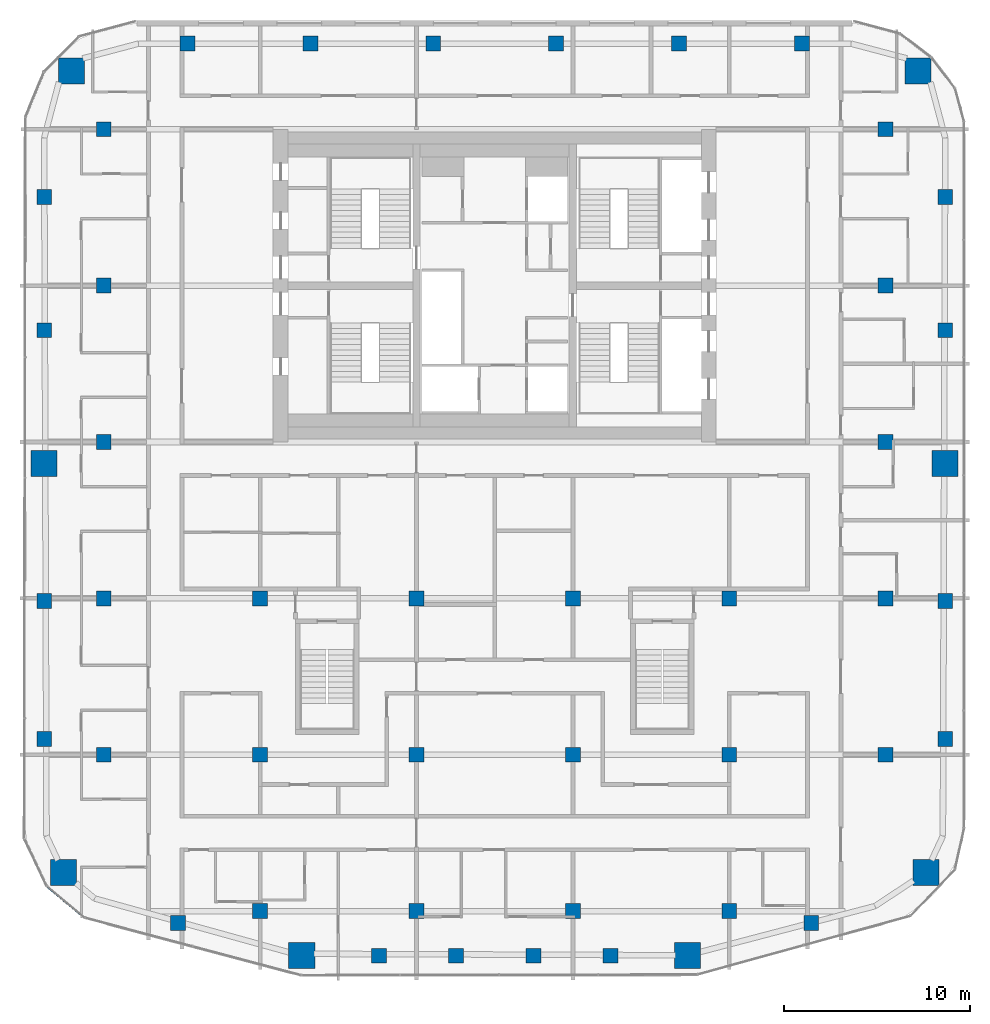
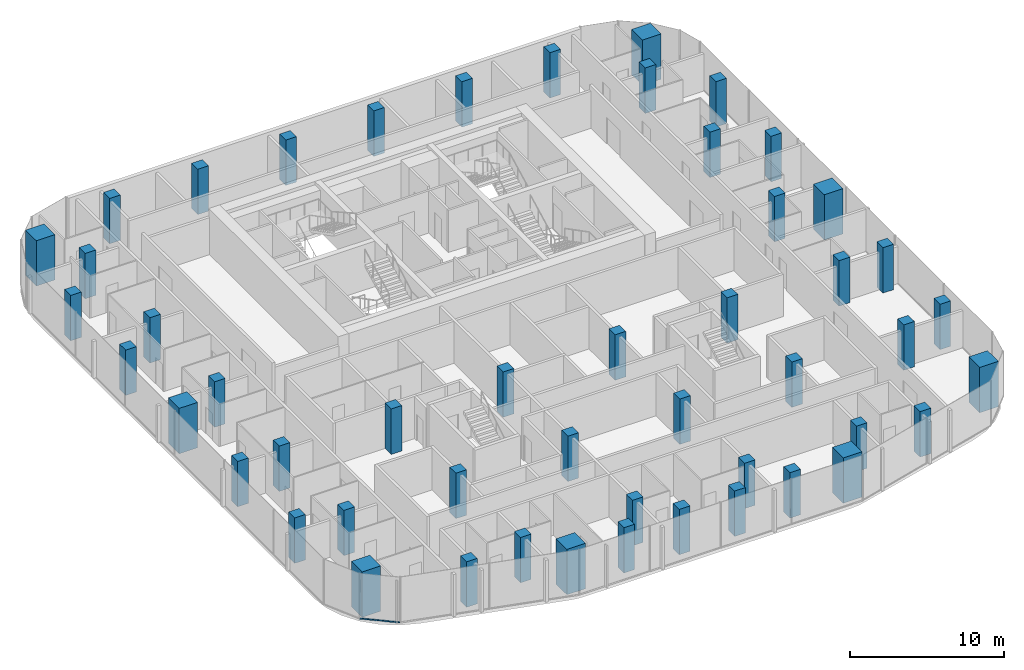
# One storey, part 1 of 21: 50 columns, 1 member, 1 element without a shape of its own.
"""IFC4 building model written with IfcOpenShell, lengths in metres."""

from ifc_helpers import new_model, si_unit, direction, frame, origin, origin_2d, place, context, subcontext, project, spatial, rectangle, extrude, material, layer, layer_set, material_profile, profile_set, type_object, element, aggregate, save


model = new_model("IFC4")

# Units and contexts
model_context = context("Model", 3, precision=1e-05, world=origin(), true_north=direction((0.0, 1.0)))
body_context = subcontext(model_context, "Body", "Model", "MODEL_VIEW")
ifc_project = project(units=[si_unit("LENGTHUNIT", "METRE"), si_unit("AREAUNIT", "SQUARE_METRE"), si_unit("VOLUMEUNIT", "CUBIC_METRE"), si_unit("PLANEANGLEUNIT", "RADIAN"), si_unit("MASSUNIT", "GRAM", prefix="KILO")], contexts=[model_context])

# Site, building, storey
site_placement = place(None, origin())
site = spatial("IfcSite", under=ifc_project, at=site_placement, CompositionType="ELEMENT")
building_placement = place(site_placement, origin())
building = spatial("IfcBuilding", under=site, at=building_placement, Name="Marenta Gate Hotel Tower", CompositionType="ELEMENT")
storey_placement = place(building_placement, frame((0.0, 0.0, 245.300048828125)))
storey = spatial("IfcBuildingStorey", under=building, at=storey_placement, Name="L58", CompositionType="ELEMENT", Elevation=245.300048828125)

# Columns
ifc_material_1 = material(Name="Concrete C60", Category="concrete")
ifc_material_profile_1 = material_profile(ifc_material_1, rectangle(XDim=0.800048828125, YDim=0.800048828125, at=origin_2d()), Name="800 x 800")
ifc_profile_set_1 = profile_set([ifc_material_profile_1], Name="Concrete C60")
column_type_1 = type_object("IfcColumnType", Name="Edge column 800 x 800 C60", PredefinedType="COLUMN", material=ifc_profile_set_1)
for number, where, z_axis, x_axis, name in (
    (1, (-24.199951171875, -15.951904296875, 0.0), (0.0, 0.0, 1.0), (1.0, 0.0, 0.0), "L58-EC-SW-W-1"),
    (2, (-24.199951171875, -8.55078125, 0.0), (0.0, 0.0, 1.0), (1.0, 0.0, 0.0), "L58-EC-SW-W-2"),
    (3, (-24.199951171875, 6.003173828125, 0.0), (0.0, 0.0, 1.0), (1.0, 0.0, 0.0), "L58-EC-W-NW-1"),
    (4, (-24.199951171875, 13.156494140625, 0.0), (0.0, 0.0, 1.0), (1.0, 0.0, 0.0), "L58-EC-W-NW-2"),
    (5, (-16.5068359375, 21.39990234375, 0.0), (0.0, 0.0, 1.0), (1.0, 0.0, 0.0), "L58-EC-NW-NE-1"),
    (6, (-9.904052734375, 21.39990234375, 0.0), (0.0, 0.0, 1.0), (1.0, 0.0, 0.0), "L58-EC-NW-NE-2"),
    (7, (-3.301513671875, 21.39990234375, 0.0), (0.0, 0.0, 1.0), (1.0, 0.0, 0.0), "L58-EC-NW-NE-3"),
    (8, (3.301513671875, 21.39990234375, 0.0), (0.0, 0.0, 1.0), (1.0, 0.0, 0.0), "L58-EC-NW-NE-4"),
    (9, (9.904052734375, 21.39990234375, 0.0), (0.0, 0.0, 1.0), (1.0, 0.0, 0.0), "L58-EC-NW-NE-5"),
    (10, (16.5068359375, 21.39990234375, 0.0), (0.0, 0.0, 1.0), (1.0, 0.0, 0.0), "L58-EC-NW-NE-6"),
    (11, (24.199951171875, 13.156494140625, 0.0), (0.0, 0.0, 1.0), (1.0, 0.0, 0.0), "L58-EC-NE-E-1"),
    (12, (24.199951171875, 6.003173828125, 0.0), (0.0, 0.0, 1.0), (1.0, 0.0, 0.0), "L58-EC-NE-E-2"),
    (13, (24.199951171875, -8.55078125, 0.0), (0.0, 0.0, 1.0), (1.0, 0.0, 0.0), "L58-EC-E-SE-1"),
    (14, (24.199951171875, -15.951904296875, 0.0), (0.0, 0.0, 1.0), (1.0, 0.0, 0.0), "L58-EC-E-SE-2"),
    (15, (17.0068359375, -25.839111328125, 0.0), (0.0, 0.0, 1.0), (1.0, 0.0, 0.0), "L58-EC-SE-SKE-1"),
    (16, (6.22021484375, -27.60009765625, 0.0), (0.0, 0.0, 1.0), (1.0, 0.0, 0.0), "L58-EC-SKE-SKW-1"),
    (17, (2.073486328125, -27.60009765625, 0.0), (0.0, 0.0, 1.0), (1.0, 0.0, 0.0), "L58-EC-SKE-SKW-2"),
    (18, (-2.073486328125, -27.60009765625, 0.0), (0.0, 0.0, 1.0), (1.0, 0.0, 0.0), "L58-EC-SKE-SKW-3"),
    (19, (-6.22021484375, -27.60009765625, 0.0), (0.0, 0.0, 1.0), (1.0, 0.0, 0.0), "L58-EC-SKE-SKW-4"),
    (20, (-17.0068359375, -25.839111328125, 0.0), (0.0, 0.0, 1.0), (1.0, 0.0, 0.0), "L58-EC-SKW-SW-1"),
):
    element("IfcColumn", number, at=place(storey_placement, frame(where, z_axis=z_axis, x_axis=x_axis)), inside=storey, type_object=column_type_1, Name=name, PredefinedType="COLUMN", context=body_context, shape_type="SweptSolid", body=[
        extrude(rectangle(XDim=0.800048828125, YDim=0.800048828125, at=origin_2d()), origin(), (0.0, 0.0, 1.0), 3.599853515625),
    ])
ifc_material_2 = material(Name="Concrete C60", Category="concrete")
ifc_material_profile_2 = material_profile(ifc_material_2, rectangle(XDim=0.800048828125, YDim=0.800048828125, at=origin_2d()), Name="800 x 800")
ifc_profile_set_2 = profile_set([ifc_material_profile_2], Name="Concrete C60")
column_type_2 = type_object("IfcColumnType", Name="Interior column 800 x 800 C60", PredefinedType="COLUMN", material=ifc_profile_set_2)
for number, where, z_axis, x_axis, name in (
    (21, (-21.0, -16.800048828125, 0.0), (0.0, 0.0, 1.0), (1.0, 0.0, 0.0), "L58-IC-4D"),
    (22, (-21.0, -8.39990234375, 0.0), (0.0, 0.0, 1.0), (1.0, 0.0, 0.0), "L58-IC-4E"),
    (23, (-21.0, 0.0, 0.0), (0.0, 0.0, 1.0), (1.0, 0.0, 0.0), "L58-IC-4F"),
    (24, (-21.0, 8.39990234375, 0.0), (0.0, 0.0, 1.0), (1.0, 0.0, 0.0), "L58-IC-4G"),
    (25, (-21.0, 16.800048828125, 0.0), (0.0, 0.0, 1.0), (1.0, 0.0, 0.0), "L58-IC-4H"),
    (26, (-12.60009765625, -25.199951171875, 0.0), (0.0, 0.0, 1.0), (1.0, 0.0, 0.0), "L58-IC-5C"),
    (27, (-12.60009765625, -16.800048828125, 0.0), (0.0, 0.0, 1.0), (1.0, 0.0, 0.0), "L58-IC-5D"),
    (28, (-12.60009765625, -8.39990234375, 0.0), (0.0, 0.0, 1.0), (1.0, 0.0, 0.0), "L58-IC-5E"),
    (29, (-4.199951171875, -25.199951171875, 0.0), (0.0, 0.0, 1.0), (1.0, 0.0, 0.0), "L58-IC-6C"),
    (30, (-4.199951171875, -16.800048828125, 0.0), (0.0, 0.0, 1.0), (1.0, 0.0, 0.0), "L58-IC-6D"),
    (31, (-4.199951171875, -8.39990234375, 0.0), (0.0, 0.0, 1.0), (1.0, 0.0, 0.0), "L58-IC-6E"),
    (32, (4.199951171875, -25.199951171875, 0.0), (0.0, 0.0, 1.0), (1.0, 0.0, 0.0), "L58-IC-7C"),
    (33, (4.199951171875, -16.800048828125, 0.0), (0.0, 0.0, 1.0), (1.0, 0.0, 0.0), "L58-IC-7D"),
    (34, (4.199951171875, -8.39990234375, 0.0), (0.0, 0.0, 1.0), (1.0, 0.0, 0.0), "L58-IC-7E"),
    (35, (12.60009765625, -25.199951171875, 0.0), (0.0, 0.0, 1.0), (1.0, 0.0, 0.0), "L58-IC-8C"),
    (36, (12.60009765625, -16.800048828125, 0.0), (0.0, 0.0, 1.0), (1.0, 0.0, 0.0), "L58-IC-8D"),
    (37, (12.60009765625, -8.39990234375, 0.0), (0.0, 0.0, 1.0), (1.0, 0.0, 0.0), "L58-IC-8E"),
    (38, (21.0, -16.800048828125, 0.0), (0.0, 0.0, 1.0), (1.0, 0.0, 0.0), "L58-IC-9D"),
    (39, (21.0, -8.39990234375, 0.0), (0.0, 0.0, 1.0), (1.0, 0.0, 0.0), "L58-IC-9E"),
    (40, (21.0, 0.0, 0.0), (0.0, 0.0, 1.0), (1.0, 0.0, 0.0), "L58-IC-9F"),
    (41, (21.0, 8.39990234375, 0.0), (0.0, 0.0, 1.0), (1.0, 0.0, 0.0), "L58-IC-9G"),
    (42, (21.0, 16.800048828125, 0.0), (0.0, 0.0, 1.0), (1.0, 0.0, 0.0), "L58-IC-9H"),
):
    element("IfcColumn", number, at=place(storey_placement, frame(where, z_axis=z_axis, x_axis=x_axis)), inside=storey, type_object=column_type_2, Name=name, PredefinedType="COLUMN", context=body_context, shape_type="SweptSolid", body=[
        extrude(rectangle(XDim=0.800048828125, YDim=0.800048828125, at=origin_2d()), origin(), (0.0, 0.0, 1.0), 3.599853515625),
    ])
ifc_material_3 = material(Name="Concrete C60", Category="concrete")
ifc_material_profile_3 = material_profile(ifc_material_3, rectangle(XDim=1.39990234375, YDim=1.39990234375, at=origin_2d()), Name="1400 x 1400")
ifc_profile_set_3 = profile_set([ifc_material_profile_3], Name="Concrete C60")
column_type_3 = type_object("IfcColumnType", Name="Mega column 1400 x 1400 C60", PredefinedType="COLUMN", material=ifc_profile_set_3)
for number, where, z_axis, x_axis, name in (
    (43, (-23.1630859375, -23.133056640625, 0.0), (0.0, 0.0, 1.0), (1.0, 0.0, 0.0), "L58-MC-SW"),
    (44, (-10.3662109375, -27.57470703125, 0.0), (0.0, 0.0, 1.0), (1.0, 0.0, 0.0), "L58-MC-SKW"),
    (45, (10.3662109375, -27.57470703125, 0.0), (0.0, 0.0, 1.0), (1.0, 0.0, 0.0), "L58-MC-SKE"),
    (46, (23.1630859375, -23.133056640625, 0.0), (0.0, 0.0, 1.0), (1.0, 0.0, 0.0), "L58-MC-SE"),
    (47, (24.199951171875, -1.14990234375, 0.0), (0.0, 0.0, 1.0), (1.0, 0.0, 0.0), "L58-MC-E"),
    (48, (22.735595703125, 19.935546875, 0.0), (0.0, 0.0, 1.0), (1.0, 0.0, 0.0), "L58-MC-NE"),
    (49, (-22.735595703125, 19.935546875, 0.0), (0.0, 0.0, 1.0), (1.0, 0.0, 0.0), "L58-MC-NW"),
    (50, (-24.199951171875, -1.14990234375, 0.0), (0.0, 0.0, 1.0), (1.0, 0.0, 0.0), "L58-MC-W"),
):
    element("IfcColumn", number, at=place(storey_placement, frame(where, z_axis=z_axis, x_axis=x_axis)), inside=storey, type_object=column_type_3, Name=name, PredefinedType="COLUMN", context=body_context, shape_type="SweptSolid", body=[
        extrude(rectangle(XDim=1.39990234375, YDim=1.39990234375, at=origin_2d()), origin(), (0.0, 0.0, 1.0), 3.599853515625),
    ])

# Curtain wall, member
ifc_material_4 = material(Name="Tinted insulated glass in bronze anodised frame", Category="glass")
ifc_layer = layer(ifc_material_4, 0.1201171875)
ifc_layer_set = layer_set([ifc_layer], Name="Tinted insulated glass in bronze anodised frame")
curtain_wall_type = type_object("IfcCurtainWallType", Name="Tower unitised curtain wall CW1", PredefinedType="NOTDEFINED", material=ifc_layer_set)
curtain_wall_placement = place(storey_placement, origin())
curtain_wall = element("IfcCurtainWall", 51, at=curtain_wall_placement, inside=storey, type_object=curtain_wall_type, Name="CW1 run G05", PredefinedType="NOTDEFINED")
ifc_material_5 = material(Name="Bronze anodised aluminium", Category="aluminium")
ifc_material_profile_4 = material_profile(ifc_material_5, rectangle(XDim=0.1201171875, YDim=0.06005859375, at=origin_2d()), Name="Transom CW1 60x120 bronze anodised aluminium")
ifc_profile_set_4 = profile_set([ifc_material_profile_4], Name="Bronze anodised aluminium")
member_type = type_object("IfcMemberType", Name="Transom CW1 60x120 bronze anodised aluminium", PredefinedType="USERDEFINED", material=ifc_profile_set_4)
member_placement = place(storey_placement, frame((-24.036865234375, -23.879150390625, 0.030029296875), z_axis=(0.767100312603, -0.641527170433, 0.0), x_axis=(0.641527170433, 0.767100312603, 0.0)))
member = element("IfcMember", 52, at=member_placement, type_object=member_type, Name="CW1 transom 1.1", ObjectType="TRANSOM", PredefinedType="USERDEFINED", context=body_context, shape_type="SweptSolid", body=[
    extrude(rectangle(XDim=0.1201171875, YDim=0.06005859375, at=origin_2d()), origin(), (0.0, 0.0, 1.0), 2.609130859375),
])
aggregate(curtain_wall, [member])

save(model, "model.ifc")
